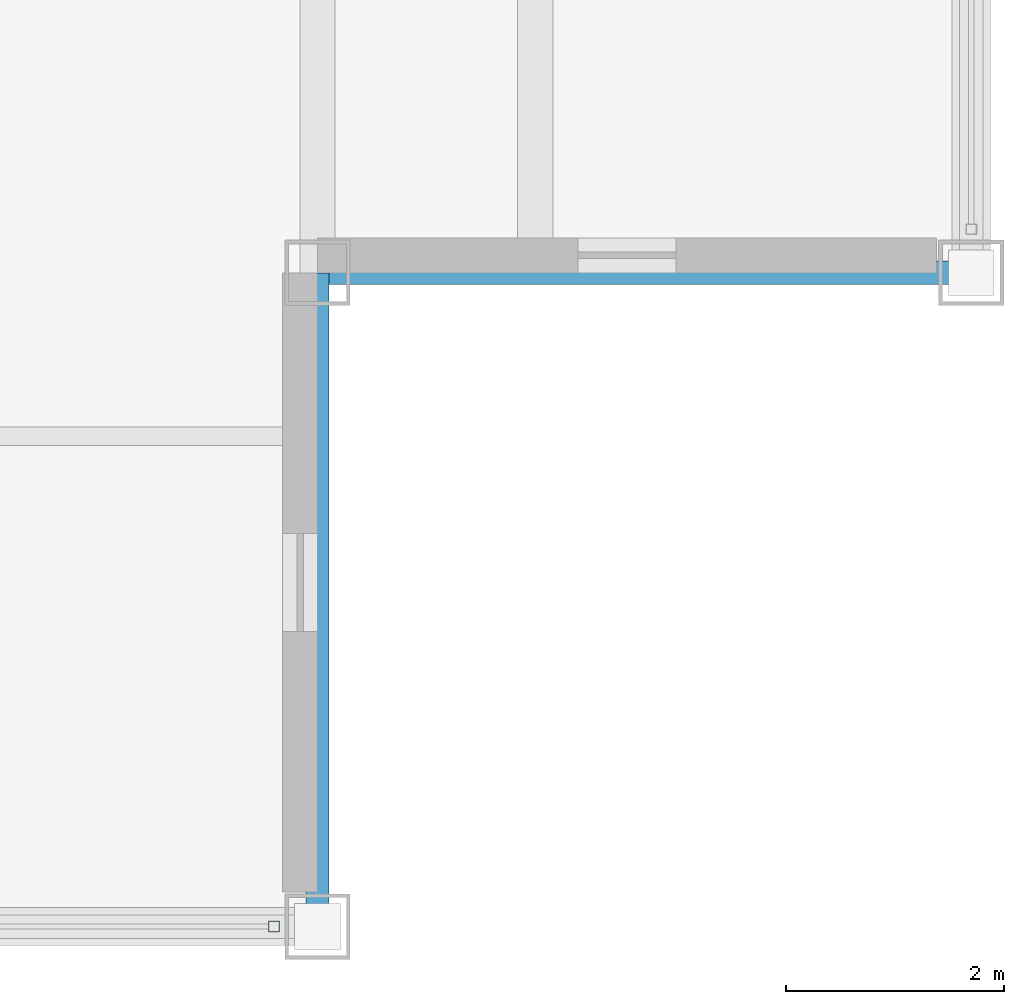
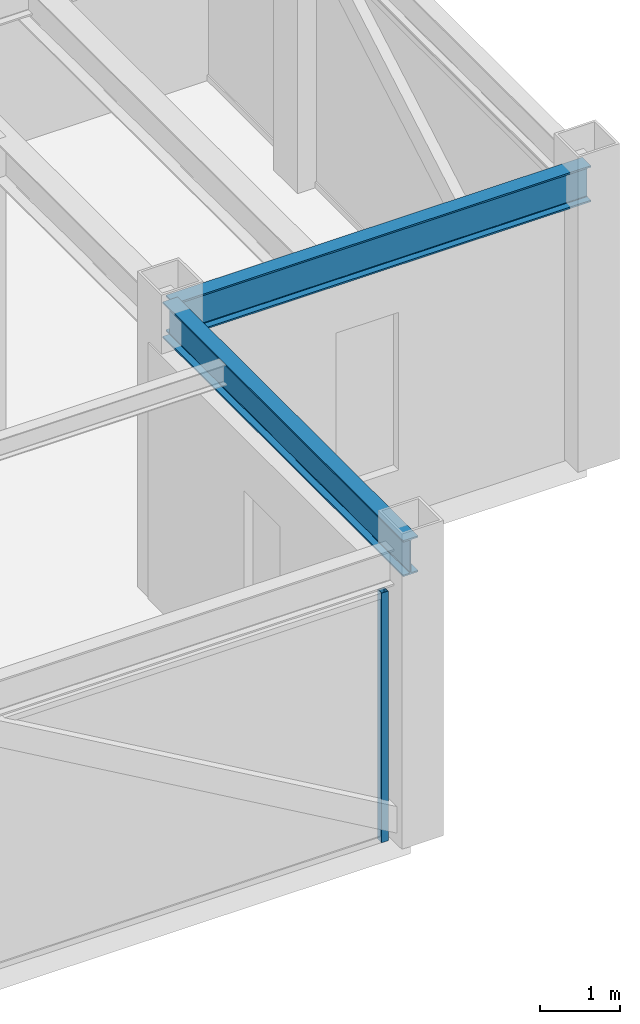
# One storey, part 8 of 27: 2 beams, 1 member, 1 element without a shape of its own.
"""IFC4 building model written with IfcOpenShell, lengths in metres."""

from ifc_helpers import new_model, si_unit, direction, frame, origin, origin_2d, place, context, subcontext, project, spatial, hollow_rectangle, i_section, extrude, source, transform, mapped, material, material_profile, profile_set, type_object, element, aggregate, save


model = new_model("IFC4")

# Units and contexts
model_context = context("Model", 3, precision=1e-05, world=origin(), true_north=direction((0.0, 1.0)))
body_context = subcontext(model_context, "Body", "Model", "MODEL_VIEW")
ifc_project = project(units=[si_unit("LENGTHUNIT", "METRE"), si_unit("AREAUNIT", "SQUARE_METRE"), si_unit("VOLUMEUNIT", "CUBIC_METRE"), si_unit("PLANEANGLEUNIT", "RADIAN"), si_unit("MASSUNIT", "GRAM", prefix="KILO")], contexts=[model_context])

# Site, building, storey
site_placement = place(None, origin())
site = spatial("IfcSite", under=ifc_project, at=site_placement, CompositionType="ELEMENT")
building_placement = place(site_placement, origin())
building = spatial("IfcBuilding", under=site, at=building_placement, Name="Khorayat Bourse Tower", CompositionType="ELEMENT")
storey_placement = place(building_placement, frame((0.0, 0.0, 380.300048828125)))
storey = spatial("IfcBuildingStorey", under=building, at=storey_placement, Name="L90", CompositionType="ELEMENT", Elevation=380.300048828125)

# Beams
ifc_material_1 = material(Name="Steel ASTM A992 Grade 50", Category="steel")
ifc_material_profile_1 = material_profile(ifc_material_1, i_section(OverallWidth=0.214111328125, OverallDepth=0.549072265625, WebThickness=0.0146484375, FlangeThickness=0.023681640625, FilletRadius=0.013916015625, at=origin_2d()), Name="W530X138")
ifc_profile_set_1 = profile_set([ifc_material_profile_1], Name="Steel ASTM A992 Grade 50")
beam_type = type_object("IfcBeamType", Name="BM-SPAN-530", PredefinedType="SPANDREL", material=ifc_profile_set_1)
shared_shape_1 = source(origin(), body_context, "Body", "SweptSolid", [
    extrude(i_section(OverallWidth=0.214111328125, OverallDepth=0.549072265625, WebThickness=0.0146484375, FlangeThickness=0.023681640625, FilletRadius=0.013916015625, at=origin_2d()), origin(), (0.0, 0.0, 1.0), 6.0),
])
for number, where, z_axis, x_axis, name in (
    (1, (18.0, -24.0, 4.175537109375), (0.0, 1.0, 0.0), (-1.0, 0.0, 0.0), "L90 BM-SPAN-530 BM-L90-SPN-030"),
    (2, (18.0, -18.0, 4.175537109375), (1.0, 0.0, 0.0), (0.0, 1.0, 0.0), "L90 BM-SPAN-530 BM-L90-SPN-031"),
):
    element("IfcBeam", number, at=place(storey_placement, frame(where, z_axis=z_axis, x_axis=x_axis)), inside=storey, type_object=beam_type, Name=name, PredefinedType="SPANDREL", context=body_context, shape_type="MappedRepresentation", body=[
        mapped(shared_shape_1, transform((0.0, 0.0, 0.0), scale=1.0)),
    ])

# Curtain wall, member
ifc_material_2 = material(Name="Aluminium EN AW-6063 T6", Category="aluminium")
curtain_wall_type = type_object("IfcCurtainWallType", Name="CW-SYS-07", PredefinedType="NOTDEFINED", material=ifc_material_2)
curtain_wall_placement = place(storey_placement, origin())
curtain_wall = element("IfcCurtainWall", 3, at=curtain_wall_placement, inside=storey, type_object=curtain_wall_type, Name="L90 Curtain Wall CW-L90-S1", PredefinedType="NOTDEFINED")
ifc_material_profile_2 = material_profile(ifc_material_2, hollow_rectangle(XDim=0.10009765625, YDim=0.10009765625, WallThickness=0.0048828125, at=origin_2d()), Name="ALU 100x100x5")
ifc_profile_set_2 = profile_set([ifc_material_profile_2], Name="Aluminium EN AW-6063 T6")
member_type = type_object("IfcMemberType", Name="CWM-LANTERN-100", PredefinedType="MULLION", material=ifc_profile_set_2)
shared_shape_2 = source(origin(), body_context, "Body", "SweptSolid", [
    extrude(hollow_rectangle(XDim=0.10009765625, YDim=0.10009765625, WallThickness=0.0048828125, at=origin_2d()), origin(), (0.0, 0.0, 1.0), 3.800048828125),
])
member_placement = place(storey_placement, frame((17.60009765625, -24.0, 0.0), z_axis=(0.0, 0.0, 1.0), x_axis=(0.0, 1.0, 0.0)))
member = element("IfcMember", 4, at=member_placement, type_object=member_type, Name="CW-L90-S1 Vertical Mullion 3", PredefinedType="MULLION", context=body_context, shape_type="MappedRepresentation", body=[
    mapped(shared_shape_2, transform((0.0, 0.0, 0.0), scale=1.0)),
])
aggregate(curtain_wall, [member])

save(model, "model.ifc")
